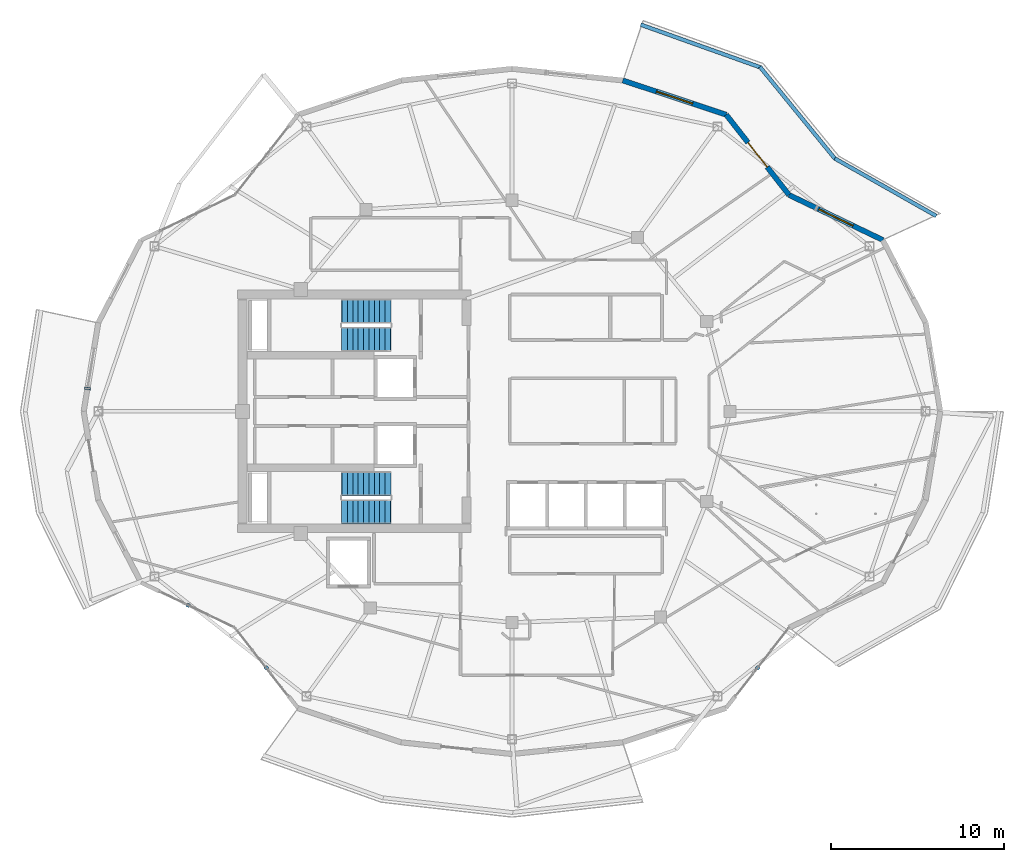
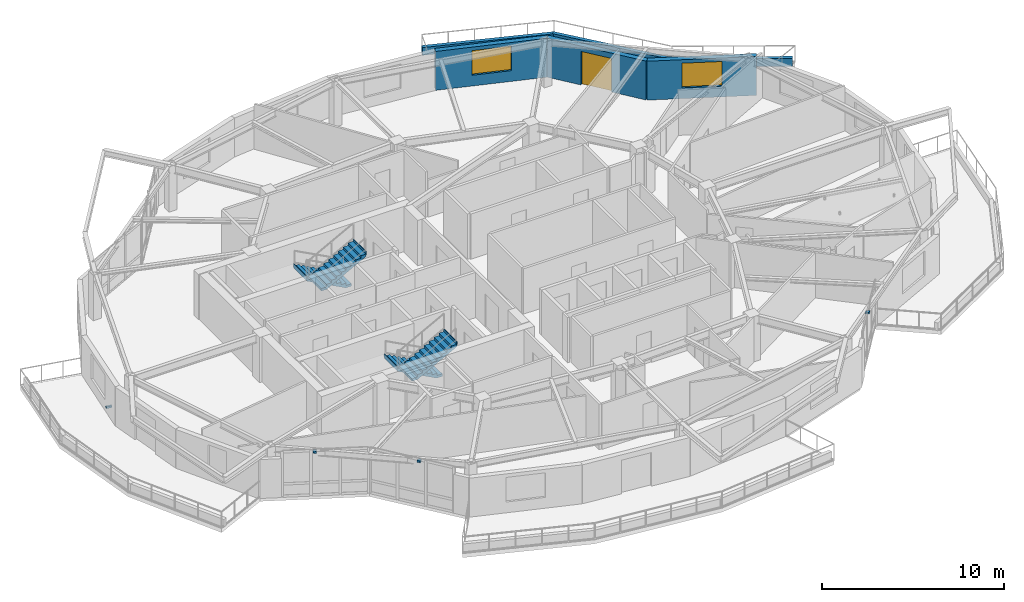
# One storey, part 11 of 16: 6 walls, 4 discrete accessories, 4 stair flights, 2 windows, 1 door, 3 openings, 2 elements without a shape of their own.
"""IFC4 building model written with IfcOpenShell, lengths in metres."""

from ifc_helpers import new_model, si_unit, direction, frame, frame_2d, origin, origin_2d, place, context, subcontext, project, spatial, polyline, rectangle, outline, extrude, material, layer, layer_set, type_object, element, fill, aggregate, save


model = new_model("IFC4")

# Units and contexts
model_context = context("Model", 3, precision=1e-05, world=origin(), true_north=direction((0.0, 1.0)))
body_context = subcontext(model_context, "Body", "Model", "MODEL_VIEW")
ifc_project = project(units=[si_unit("LENGTHUNIT", "METRE"), si_unit("AREAUNIT", "SQUARE_METRE"), si_unit("VOLUMEUNIT", "CUBIC_METRE"), si_unit("PLANEANGLEUNIT", "RADIAN"), si_unit("MASSUNIT", "GRAM", prefix="KILO")], contexts=[model_context])

# Site, building, storey
site_placement = place(None, origin())
site = spatial("IfcSite", under=ifc_project, at=site_placement, CompositionType="ELEMENT")
building_placement = place(site_placement, origin())
building = spatial("IfcBuilding", under=site, at=building_placement, Name="Kolvaren Gate Tower and Convention Centre", CompositionType="ELEMENT")
storey_placement = place(building_placement, frame((0.0, 0.0, 219.5)))
storey = spatial("IfcBuildingStorey", under=building, at=storey_placement, Name="L58", CompositionType="ELEMENT", Elevation=219.5)

# Walls
ifc_material_1 = material(Name="Piedmont Cream Honed Limestone Cladding", Category="masonry")
ifc_layer_1 = layer(ifc_material_1, 0.219970703125)
ifc_layer_set_1 = layer_set([ifc_layer_1], Name="Piedmont Cream Honed Limestone Cladding")
wall_type_1 = type_object("IfcWallType", Name="ARCH-WL-PLANTER-220", PredefinedType="PARAPET", material=ifc_layer_set_1)
wall_1_placement = place(storey_placement, frame((48.7763671875, 41.61669921875, 0.0), z_axis=(0.0, 0.0, 1.0), x_axis=(0.869860619267, -0.493297580623, 0.0)))
element("IfcWall", 1, at=wall_1_placement, inside=storey, type_object=wall_type_1, Name="Vertical-Forest Balcony Stone Planter Kerb PK-L58-1.1", PredefinedType="PARAPET", context=body_context, shape_type="SweptSolid", body=[
    extrude(rectangle(XDim=6.74267578125, YDim=0.219970703125, at=frame_2d((3.371337890625, 0.0))), origin(), (0.0, 0.0, 1.0), 0.52001953125),
])
wall_2_placement = place(storey_placement, frame((44.4482421875, 46.912841796875, 0.0), z_axis=(0.0, 0.0, 1.0), x_axis=(0.632697312147, -0.774399193699, 0.0)))
element("IfcWall", 2, at=wall_2_placement, inside=storey, type_object=wall_type_1, Name="Vertical-Forest Balcony Stone Planter Kerb PK-L58-1.2", PredefinedType="PARAPET", context=body_context, shape_type="SweptSolid", body=[
    extrude(rectangle(XDim=6.9140625, YDim=0.219970703125, at=frame_2d((3.45703125, 0.0))), origin(), (0.0, 0.0, 1.0), 0.52001953125),
])
wall_3_placement = place(storey_placement, frame((37.564697265625, 49.34716796875, 0.0), z_axis=(0.0, 0.0, 1.0), x_axis=(0.941780086523, -0.336229488042, 0.0)))
element("IfcWall", 3, at=wall_3_placement, inside=storey, type_object=wall_type_1, Name="Vertical-Forest Balcony Stone Planter Kerb PK-L58-1.3", PredefinedType="PARAPET", context=body_context, shape_type="SweptSolid", body=[
    extrude(rectangle(XDim=7.3779296875, YDim=0.219970703125, at=frame_2d((3.68896484375, 0.0))), origin(), (0.0, 0.0, 1.0), 0.52001953125),
])

# Wall, opening, window
ifc_layer_2 = layer(ifc_material_1, 0.300048828125)
ifc_layer_set_2 = layer_set([ifc_layer_2], Name="Piedmont Cream Honed Limestone Cladding")
wall_type_2 = type_object("IfcWallType", Name="ARCH-WL-STONE-300", PredefinedType="SOLIDWALL", material=ifc_layer_set_2)
wall_4_placement = place(storey_placement, frame((46.132568359375, 39.50732421875, 0.0), z_axis=(0.0, 0.0, 1.0), x_axis=(0.901348331142, -0.433094892545, 0.0)))
wall_4 = element("IfcWall", 4, at=wall_4_placement, inside=storey, type_object=wall_type_2, Name="Tower L58 Honed Stone Spandrel Wall EW-02", PredefinedType="SOLIDWALL", context=body_context, shape_type="SweptSolid", body=[
    extrude(rectangle(XDim=6.0205078125, YDim=0.300048828125, at=frame_2d((3.01025390625, 0.0))), origin(), (0.0, 0.0, 1.0), 2.60498046875),
])
opening_1_placement = place(wall_4_placement, frame((1.909912109375, 0.0, 0.719970703125)))
opening_1 = element("IfcOpeningElement", 5, at=opening_1_placement, cuts=wall_4, Name="Opening W-03", PredefinedType="OPENING", context=body_context, shape_type="SweptSolid", body=[
    extrude(rectangle(XDim=2.199951171875, YDim=1.64990234375, at=frame_2d((1.10009765625, 0.824951171875))), frame((0.0, 0.159912109375, 0.0), z_axis=(0.0, -1.0, 0.0), x_axis=(1.0, 0.0, 0.0)), (0.0, 0.0, 1.0), 0.320068359375),
])
ifc_material_2 = material(Name="Low-E Triple Insulated Glazing Unit 44 mm", Category="glass")
window_type = type_object("IfcWindowType", Name="ARCH-WN-RES-2200", PartitioningType="SINGLE_PANEL", PredefinedType="WINDOW", material=ifc_material_2)
window_1_placement = place(opening_1_placement, origin())
window_1 = element("IfcWindow", 6, at=window_1_placement, inside=storey, type_object=window_type, Name="Tower L58 Punched Stone Facade Window W-02", OverallHeight=1.64990234375, OverallWidth=2.199951171875, PartitioningType="SINGLE_PANEL", PredefinedType="WINDOW", context=body_context, shape_type="SweptSolid", body=[
    extrude(rectangle(XDim=2.199951171875, YDim=1.64990234375, at=frame_2d((1.10009765625, 0.824951171875))), frame((0.0, 0.030029296875, 0.0), z_axis=(0.0, -1.0, 0.0), x_axis=(1.0, 0.0, 0.0)), (0.0, 0.0, 1.0), 0.06005859375),
])
fill(opening_1, window_1)

# Wall, opening, door
wall_5_placement = place(storey_placement, frame((42.5, 44.147216796875, 0.0), z_axis=(0.0, 0.0, 1.0), x_axis=(0.616450126935, -0.787393955401, 0.0)))
wall_5 = element("IfcWall", 7, at=wall_5_placement, inside=storey, type_object=wall_type_2, Name="Tower L58 Honed Stone Spandrel Wall EW-03", PredefinedType="SOLIDWALL", context=body_context, shape_type="SweptSolid", body=[
    extrude(rectangle(XDim=5.892822265625, YDim=0.300048828125, at=frame_2d((2.9462890625, 0.0))), origin(), (0.0, 0.0, 1.0), 2.60498046875),
])
opening_2_placement = place(wall_5_placement, frame((2.0458984375, 0.0, 0.0)))
opening_2 = element("IfcOpeningElement", 8, at=opening_2_placement, cuts=wall_5, Name="Opening DB-01", PredefinedType="OPENING", context=body_context, shape_type="SweptSolid", body=[
    extrude(rectangle(XDim=1.800048828125, YDim=2.25, at=frame_2d((0.89990234375, 1.125))), frame((0.0, 0.159912109375, 0.0), z_axis=(0.0, -1.0, 0.0), x_axis=(1.0, 0.0, 0.0)), (0.0, 0.0, 1.0), 0.320068359375),
])
ifc_material_3 = material(Name="Anodized Architectural Aluminium Alloy 6063-T6", Category="aluminium")
door_type = type_object("IfcDoorType", Name="ARCH-DR-BALC-1800", OperationType="SLIDING_TO_LEFT", PredefinedType="DOOR", material=ifc_material_3)
door_placement = place(opening_2_placement, origin())
door = element("IfcDoor", 9, at=door_placement, inside=storey, type_object=door_type, Name="Planted Sky Terrace Access Door DB-L58-03", OperationType="SLIDING_TO_LEFT", OverallHeight=2.25, OverallWidth=1.800048828125, PredefinedType="DOOR", context=body_context, shape_type="SweptSolid", body=[
    extrude(rectangle(XDim=1.800048828125, YDim=2.25, at=frame_2d((0.89990234375, 1.125))), frame((0.0, 0.02490234375, 0.0), z_axis=(0.0, -1.0, 0.0), x_axis=(1.0, 0.0, 0.0)), (0.0, 0.0, 1.0), 0.050048828125),
])
fill(opening_2, door)

# Wall, opening, window
wall_6_placement = place(storey_placement, frame((36.53076171875, 46.125244140625, 0.0), z_axis=(0.0, 0.0, 1.0), x_axis=(0.949240877604, -0.314550085495, 0.0)))
wall_6 = element("IfcWall", 10, at=wall_6_placement, inside=storey, type_object=wall_type_2, Name="Tower L58 Honed Stone Spandrel Wall EW-04", PredefinedType="SOLIDWALL", context=body_context, shape_type="SweptSolid", body=[
    extrude(rectangle(XDim=6.288330078125, YDim=0.300048828125, at=frame_2d((3.14404296875, 0.0))), origin(), (0.0, 0.0, 1.0), 2.60498046875),
])
opening_3_placement = place(wall_6_placement, frame((2.0439453125, 0.0, 0.719970703125)))
opening_3 = element("IfcOpeningElement", 11, at=opening_3_placement, cuts=wall_6, Name="Opening W-03", PredefinedType="OPENING", context=body_context, shape_type="SweptSolid", body=[
    extrude(rectangle(XDim=2.199951171875, YDim=1.64990234375, at=frame_2d((1.10009765625, 0.824951171875))), frame((0.0, 0.159912109375, 0.0), z_axis=(0.0, -1.0, 0.0), x_axis=(1.0, 0.0, 0.0)), (0.0, 0.0, 1.0), 0.320068359375),
])
window_2_placement = place(opening_3_placement, origin())
window_2 = element("IfcWindow", 12, at=window_2_placement, inside=storey, type_object=window_type, Name="Tower L58 Punched Stone Facade Window W-04", OverallHeight=1.64990234375, OverallWidth=2.199951171875, PartitioningType="SINGLE_PANEL", PredefinedType="WINDOW", context=body_context, shape_type="SweptSolid", body=[
    extrude(rectangle(XDim=2.199951171875, YDim=1.64990234375, at=frame_2d((1.10009765625, 0.824951171875))), frame((0.0, 0.030029296875, 0.0), z_axis=(0.0, -1.0, 0.0), x_axis=(1.0, 0.0, 0.0)), (0.0, 0.0, 1.0), 0.06005859375),
])
fill(opening_3, window_2)

# Stair, stair flights
ifc_material_4 = material(Name="Concrete C50/60", Category="concrete")
stair_type = type_object("IfcStairType", Name="STR-STAIR-CORE", PredefinedType="HALF_TURN_STAIR", material=ifc_material_4)
stair_1_placement = place(storey_placement, origin())
stair_1 = element("IfcStair", 13, at=stair_1_placement, inside=storey, type_object=stair_type, Name="L58 Tower North Exit Stair ST-T1", PredefinedType="HALF_TURN_STAIR")
stair_flight_type = type_object("IfcStairFlightType", Name="STR-SFL-1420", PredefinedType="STRAIGHT", material=ifc_material_4)
stair_flight_1_placement = place(storey_placement, frame((23.10009765625, 32.7900390625, 0.0), z_axis=(0.0, 0.0, 1.0), x_axis=(-1.0, 0.0, 0.0)))
stair_flight_1 = element("IfcStairFlight", 14, at=stair_flight_1_placement, type_object=stair_flight_type, Name="ST-T1 flight 1", NumberOfRisers=10, NumberOfTreads=9, PredefinedType="STRAIGHT", RiserHeight=0.165, TreadLength=0.31, context=body_context, shape_type="SweptSolid", body=[
    extrude(outline(polyline([(-0.034912109375, 0.0), (-0.034912109375, 0.1650390625), (0.31005859375, 0.1650390625), (0.31005859375, 0.330078125), (0.6201171875, 0.330078125), (0.6201171875, 0.4951171875), (0.929931640625, 0.4951171875), (0.929931640625, 0.659912109375), (1.239990234375, 0.659912109375), (1.239990234375, 0.824951171875), (1.550048828125, 0.824951171875), (1.550048828125, 0.989990234375), (1.860107421875, 0.989990234375), (1.860107421875, 1.155029296875), (2.169921875, 1.155029296875), (2.169921875, 1.320068359375), (2.47998046875, 1.320068359375), (2.47998046875, 1.485107421875), (2.7900390625, 1.485107421875), (2.7900390625, 1.64990234375), (2.8349609375, 1.64990234375), (2.8349609375, 1.489990234375), (2.7900390625, 1.315185546875), (0.319091796875, 0.0), (-0.034912109375, 0.0)])), frame((0.0, 0.7099609375, 0.0), z_axis=(0.0, -1.0, 0.0), x_axis=(1.0, 0.0, 0.0)), (0.0, 0.0, 1.0), 1.419921875),
])
stair_flight_2_placement = place(storey_placement, frame((20.31005859375, 31.169921875, 1.64990234375), z_axis=(0.0, 0.0, 1.0), x_axis=(1.0, 0.0, 0.0)))
stair_flight_2 = element("IfcStairFlight", 15, at=stair_flight_2_placement, type_object=stair_flight_type, Name="ST-T1 flight 2", NumberOfRisers=10, NumberOfTreads=9, PredefinedType="STRAIGHT", RiserHeight=0.165, TreadLength=0.31, context=body_context, shape_type="SweptSolid", body=[
    extrude(outline(polyline([(-0.034912109375, 0.0), (-0.034912109375, 0.1650390625), (0.31005859375, 0.1650390625), (0.31005859375, 0.330078125), (0.6201171875, 0.330078125), (0.6201171875, 0.4951171875), (0.929931640625, 0.4951171875), (0.929931640625, 0.659912109375), (1.239990234375, 0.659912109375), (1.239990234375, 0.824951171875), (1.550048828125, 0.824951171875), (1.550048828125, 0.989990234375), (1.860107421875, 0.989990234375), (1.860107421875, 1.155029296875), (2.169921875, 1.155029296875), (2.169921875, 1.320068359375), (2.47998046875, 1.320068359375), (2.47998046875, 1.485107421875), (2.7900390625, 1.485107421875), (2.7900390625, 1.64990234375), (2.8349609375, 1.64990234375), (2.8349609375, 1.489990234375), (2.7900390625, 1.315185546875), (0.319091796875, 0.0), (-0.034912109375, 0.0)])), frame((0.0, 0.7099609375, 0.0), z_axis=(0.0, -1.0, 0.0), x_axis=(1.0, 0.0, 0.0)), (0.0, 0.0, 1.0), 1.419921875),
])
aggregate(stair_1, [stair_flight_1, stair_flight_2])

stair_2_placement = place(storey_placement, origin())
stair_2 = element("IfcStair", 16, at=stair_2_placement, inside=storey, type_object=stair_type, Name="L58 Tower South Exit Stair ST-T2", PredefinedType="HALF_TURN_STAIR")
stair_flight_3_placement = place(storey_placement, frame((23.10009765625, 22.830078125, 0.0), z_axis=(0.0, 0.0, 1.0), x_axis=(-1.0, 0.0, 0.0)))
stair_flight_3 = element("IfcStairFlight", 17, at=stair_flight_3_placement, type_object=stair_flight_type, Name="ST-T2 flight 1", NumberOfRisers=10, NumberOfTreads=9, PredefinedType="STRAIGHT", RiserHeight=0.165, TreadLength=0.31, context=body_context, shape_type="SweptSolid", body=[
    extrude(outline(polyline([(-0.034912109375, 0.0), (-0.034912109375, 0.1650390625), (0.31005859375, 0.1650390625), (0.31005859375, 0.330078125), (0.6201171875, 0.330078125), (0.6201171875, 0.4951171875), (0.929931640625, 0.4951171875), (0.929931640625, 0.659912109375), (1.239990234375, 0.659912109375), (1.239990234375, 0.824951171875), (1.550048828125, 0.824951171875), (1.550048828125, 0.989990234375), (1.860107421875, 0.989990234375), (1.860107421875, 1.155029296875), (2.169921875, 1.155029296875), (2.169921875, 1.320068359375), (2.47998046875, 1.320068359375), (2.47998046875, 1.485107421875), (2.7900390625, 1.485107421875), (2.7900390625, 1.64990234375), (2.8349609375, 1.64990234375), (2.8349609375, 1.489990234375), (2.7900390625, 1.315185546875), (0.319091796875, 0.0), (-0.034912109375, 0.0)])), frame((0.0, 0.7099609375, 0.0), z_axis=(0.0, -1.0, 0.0), x_axis=(1.0, 0.0, 0.0)), (0.0, 0.0, 1.0), 1.419921875),
])
stair_flight_4_placement = place(storey_placement, frame((20.31005859375, 21.2099609375, 1.64990234375), z_axis=(0.0, 0.0, 1.0), x_axis=(1.0, 0.0, 0.0)))
stair_flight_4 = element("IfcStairFlight", 18, at=stair_flight_4_placement, type_object=stair_flight_type, Name="ST-T2 flight 2", NumberOfRisers=10, NumberOfTreads=9, PredefinedType="STRAIGHT", RiserHeight=0.165, TreadLength=0.31, context=body_context, shape_type="SweptSolid", body=[
    extrude(outline(polyline([(-0.034912109375, 0.0), (-0.034912109375, 0.1650390625), (0.31005859375, 0.1650390625), (0.31005859375, 0.330078125), (0.6201171875, 0.330078125), (0.6201171875, 0.4951171875), (0.929931640625, 0.4951171875), (0.929931640625, 0.659912109375), (1.239990234375, 0.659912109375), (1.239990234375, 0.824951171875), (1.550048828125, 0.824951171875), (1.550048828125, 0.989990234375), (1.860107421875, 0.989990234375), (1.860107421875, 1.155029296875), (2.169921875, 1.155029296875), (2.169921875, 1.320068359375), (2.47998046875, 1.320068359375), (2.47998046875, 1.485107421875), (2.7900390625, 1.485107421875), (2.7900390625, 1.64990234375), (2.8349609375, 1.64990234375), (2.8349609375, 1.489990234375), (2.7900390625, 1.315185546875), (0.319091796875, 0.0), (-0.034912109375, 0.0)])), frame((0.0, 0.7099609375, 0.0), z_axis=(0.0, -1.0, 0.0), x_axis=(1.0, 0.0, 0.0)), (0.0, 0.0, 1.0), 1.419921875),
])
aggregate(stair_2, [stair_flight_3, stair_flight_4])

# Discrete accessories
discrete_accessory_type = type_object("IfcDiscreteAccessoryType", Name="ARCH-ACC-BRACKET-120", PredefinedType="BRACKET", material=ifc_material_3)
discrete_accessory_placement = place(storey_placement, frame((5.592041015625, 28.3193359375, 0.2900390625), z_axis=(0.0, 0.0, 1.0), x_axis=(0.162375401515, 0.986729055508, 0.0)))
element("IfcDiscreteAccessory", 19, at=discrete_accessory_placement, inside=storey, type_object=discrete_accessory_type, Name="Ceramic Fin Wall Anchor Bracket FBK-L58-11", PredefinedType="BRACKET", context=body_context, shape_type="SweptSolid", body=[
    extrude(rectangle(XDim=0.1201171875, YDim=0.320068359375, at=origin_2d()), origin(), (0.0, 0.0, 1.0), 0.1201171875),
])
for number, where, z_axis, x_axis, name in (
    (20, (11.404296875, 15.79638671875, 2.849853515625), (0.0, 0.0, 1.0), (0.90135914581, -0.433072384555, 0.0), "Solar Screen Spandrel Anchor Bracket BK-L58-14"),
    (21, (15.93359375, 12.172607421875, 2.849853515625), (0.0, 0.0, 1.0), (0.616434119112, -0.787406487651, 0.0), "Solar Screen Spandrel Anchor Bracket BK-L58-15"),
    (22, (44.316162109375, 12.172607421875, 2.849853515625), (0.0, 0.0, 1.0), (0.616434119112, 0.787406487651, 0.0), "Solar Screen Spandrel Anchor Bracket BK-L58-20"),
):
    element("IfcDiscreteAccessory", number, at=place(storey_placement, frame(where, z_axis=z_axis, x_axis=x_axis)), inside=storey, type_object=discrete_accessory_type, Name=name, PredefinedType="BRACKET", context=body_context, shape_type="SweptSolid", body=[
        extrude(rectangle(XDim=0.179931640625, YDim=0.219970703125, at=origin_2d()), origin(), (0.0, 0.0, 1.0), 0.1201171875),
    ])

save(model, "model.ifc")
